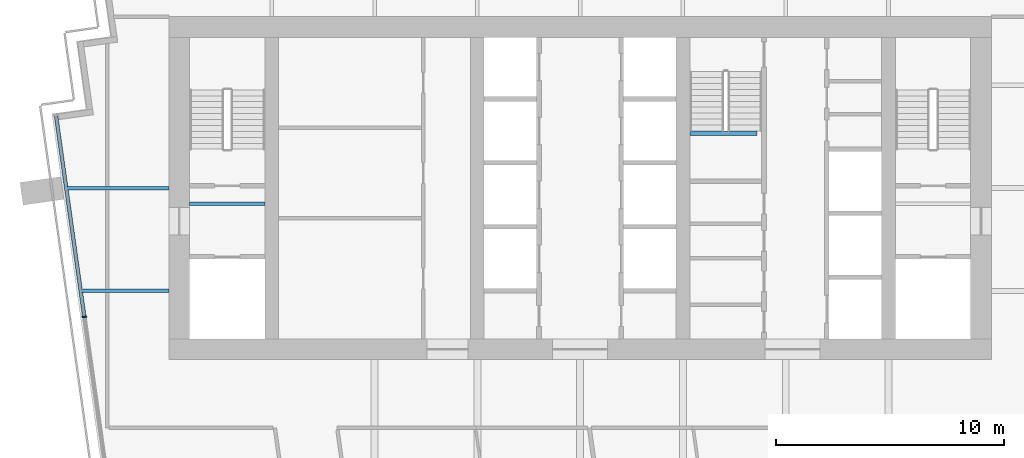
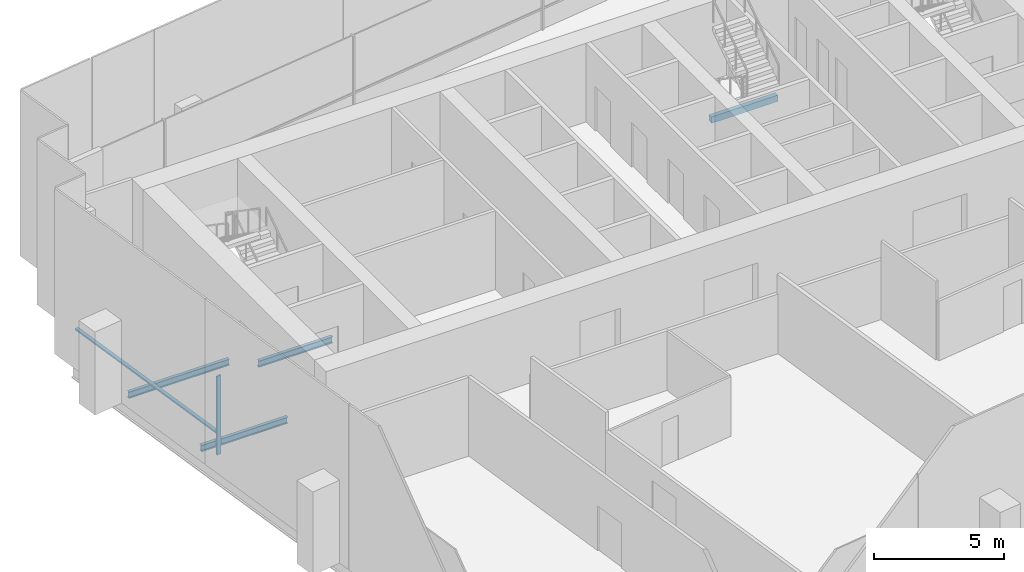
# One storey, part 4 of 17: 4 beams, 2 members, 1 element without a shape of its own.
"""IFC4 building model written with IfcOpenShell, lengths in metres."""

from ifc_helpers import new_model, si_unit, direction, frame, origin, origin_2d, place, context, subcontext, project, spatial, rectangle, i_section, extrude, material, layer, layer_set, material_profile, profile_set, type_object, element, aggregate, save


model = new_model("IFC4")

# Units and contexts
model_context = context("Model", 3, precision=1e-05, world=origin(), true_north=direction((0.0, 1.0)))
body_context = subcontext(model_context, "Body", "Model", "MODEL_VIEW")
ifc_project = project(units=[si_unit("LENGTHUNIT", "METRE"), si_unit("AREAUNIT", "SQUARE_METRE"), si_unit("VOLUMEUNIT", "CUBIC_METRE"), si_unit("PLANEANGLEUNIT", "RADIAN"), si_unit("MASSUNIT", "GRAM", prefix="KILO")], contexts=[model_context])

# Site, building, storey
site_placement = place(None, origin())
site = spatial("IfcSite", under=ifc_project, at=site_placement, CompositionType="ELEMENT")
building_placement = place(site_placement, origin())
building = spatial("IfcBuilding", under=site, at=building_placement, Name="Rattan Terrace Tower", CompositionType="ELEMENT")
storey_placement = place(building_placement, frame((0.0, 0.0, 236.89990234375)))
storey = spatial("IfcBuildingStorey", under=building, at=storey_placement, Name="L54", CompositionType="ELEMENT", Elevation=236.89990234375)

# Beams
ifc_material_1 = material(Name="Concrete C40/50", Category="concrete")
ifc_material_profile_1 = material_profile(ifc_material_1, rectangle(XDim=0.199951171875, YDim=0.300048828125, at=origin_2d()), Name="RC 200x300")
ifc_profile_set_1 = profile_set([ifc_material_profile_1], Name="Concrete C40/50")
beam_type_1 = type_object("IfcBeamType", Name="Core landing beam RC 200x300", PredefinedType="BEAM", material=ifc_profile_set_1)
beam_1_placement = place(storey_placement, frame((4.800048828125, 2.39990234375, 1.60009765625), z_axis=(1.0, 0.0, 0.0), x_axis=(0.0, 1.0, 0.0)))
element("IfcBeam", 1, at=beam_1_placement, inside=storey, type_object=beam_type_1, Name="st-S3-L54 landing 1 edge beam", PredefinedType="BEAM", context=body_context, shape_type="SweptSolid", body=[
    extrude(rectangle(XDim=0.199951171875, YDim=0.300048828125, at=origin_2d()), origin(), (0.0, 0.0, 1.0), 2.949951171875),
])
ifc_material_2 = material(Name="Steel S355", Category="steel")
ifc_material_profile_2 = material_profile(ifc_material_2, i_section(OverallWidth=0.14990234375, OverallDepth=0.300048828125, WebThickness=0.007080078125, FlangeThickness=0.0107421875, FilletRadius=0.014892578125, at=origin_2d()), Name="IPE 300")
ifc_profile_set_2 = profile_set([ifc_material_profile_2], Name="Steel S355")
beam_type_2 = type_object("IfcBeamType", Name="Frame floor beam IPE 300", PredefinedType="JOIST", material=ifc_profile_set_2)
beam_2_placement = place(storey_placement, frame((-17.10009765625, -0.695068359375, -0.349853515625), z_axis=(1.0, 0.0, 0.0), x_axis=(0.0, 1.0, 0.0)))
element("IfcBeam", 2, at=beam_2_placement, inside=storey, type_object=beam_type_2, Name="bm-L54-001", PredefinedType="JOIST", context=body_context, shape_type="SweptSolid", body=[
    extrude(i_section(OverallWidth=0.14990234375, OverallDepth=0.300048828125, WebThickness=0.007080078125, FlangeThickness=0.0107421875, FilletRadius=0.014892578125, at=origin_2d()), origin(), (0.0, 0.0, 1.0), 3.300048828125),
])
beam_3_placement = place(storey_placement, frame((-21.844970703125, -4.5, -0.349853515625), z_axis=(1.0, 0.0, 0.0), x_axis=(0.0, 1.0, 0.0)))
element("IfcBeam", 3, at=beam_3_placement, inside=storey, type_object=beam_type_2, Name="bm-L54-009", PredefinedType="JOIST", context=body_context, shape_type="SweptSolid", body=[
    extrude(i_section(OverallWidth=0.14990234375, OverallDepth=0.300048828125, WebThickness=0.007080078125, FlangeThickness=0.0107421875, FilletRadius=0.014892578125, at=origin_2d()), origin(), (0.0, 0.0, 1.0), 3.844970703125),
])
beam_4_placement = place(storey_placement, frame((-22.47705078125, 0.0, -0.349853515625), z_axis=(1.0, 0.0, 0.0), x_axis=(0.0, 1.0, 0.0)))
element("IfcBeam", 4, at=beam_4_placement, inside=storey, type_object=beam_type_2, Name="bm-L54-011", PredefinedType="JOIST", context=body_context, shape_type="SweptSolid", body=[
    extrude(i_section(OverallWidth=0.14990234375, OverallDepth=0.300048828125, WebThickness=0.007080078125, FlangeThickness=0.0107421875, FilletRadius=0.014892578125, at=origin_2d()), origin(), (0.0, 0.0, 1.0), 4.47705078125),
])

# Curtain wall, members
ifc_material_3 = material(Name="Aluminium and laminated glass", Category="aluminium")
ifc_layer = layer(ifc_material_3, 0.199951171875)
ifc_layer_set = layer_set([ifc_layer], Name="High-Zone Unitised Curtain Wall")
curtain_wall_type = type_object("IfcCurtainWallType", Name="High-Zone Unitised Curtain Wall", PredefinedType="NOTDEFINED", material=ifc_layer_set)
curtain_wall_placement = place(storey_placement, origin())
curtain_wall = element("IfcCurtainWall", 5, at=curtain_wall_placement, inside=storey, type_object=curtain_wall_type, Name="High-zone curtain wall L54-3", PredefinedType="NOTDEFINED")
ifc_material_4 = material(Name="Aluminium", Category="aluminium")
ifc_material_profile_3 = material_profile(ifc_material_4, rectangle(XDim=0.070068359375, YDim=0.199951171875, at=origin_2d()), Name="Aluminium 70x200")
ifc_profile_set_3 = profile_set([ifc_material_profile_3], Name="Aluminium")
member_type_1 = type_object("IfcMemberType", Name="High-Zone CW Mullion 70x200", PredefinedType="MULLION", material=ifc_profile_set_3)
member_1_placement = place(storey_placement, frame((-21.705078125, -5.638671875, 0.0), z_axis=(0.0, 0.0, 1.0), x_axis=(0.139186165309, -0.990266232579, 0.0)))
member_1 = element("IfcMember", 6, at=member_1_placement, type_object=member_type_1, Name="Mullion cwl-L54-003.2", PredefinedType="MULLION", context=body_context, shape_type="SweptSolid", body=[
    extrude(rectangle(XDim=0.070068359375, YDim=0.199951171875, at=origin_2d()), origin(), (0.0, 0.0, 1.0), 3.7001953125),
])
ifc_material_5 = material(Name="Aluminium", Category="aluminium")
ifc_material_profile_4 = material_profile(ifc_material_5, rectangle(XDim=0.159912109375, YDim=0.070068359375, at=origin_2d()), Name="Aluminium 160x70")
ifc_profile_set_4 = profile_set([ifc_material_profile_4], Name="Aluminium")
member_type_2 = type_object("IfcMemberType", Name="High-Zone CW Transom 160x70", PredefinedType="USERDEFINED", material=ifc_profile_set_4)
member_2_placement = place(storey_placement, frame((-22.941650390625, 3.159912109375, 1.0), z_axis=(0.139173253985, -0.990268047235, 0.0), x_axis=(0.990268047235, 0.139173253985, 0.0)))
member_2 = element("IfcMember", 7, at=member_2_placement, type_object=member_type_2, Name="Transom cwl-L54-003.1", ObjectType="TRANSOM", PredefinedType="USERDEFINED", context=body_context, shape_type="SweptSolid", body=[
    extrude(rectangle(XDim=0.159912109375, YDim=0.070068359375, at=origin_2d()), origin(), (0.0, 0.0, 1.0), 8.85009765625),
])
aggregate(curtain_wall, [member_1, member_2])

save(model, "model.ifc")
